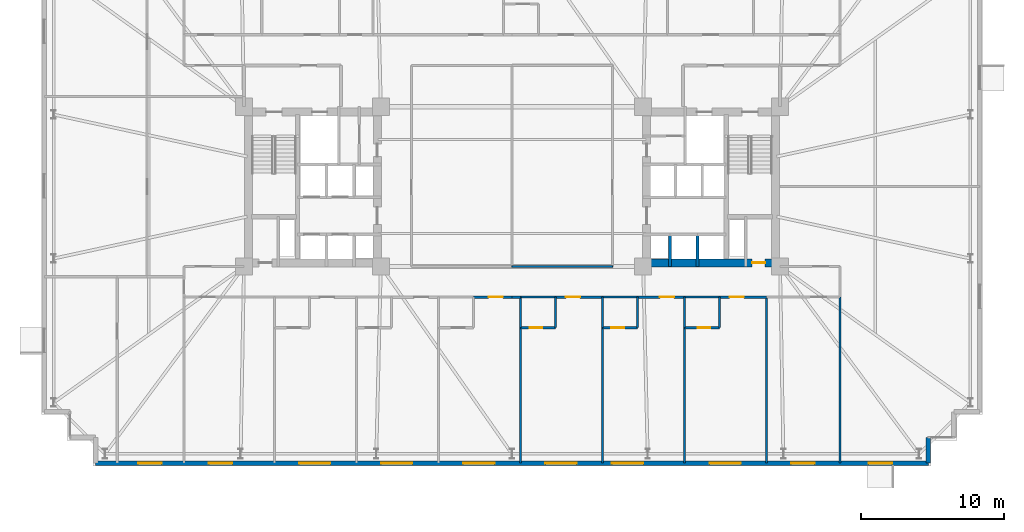
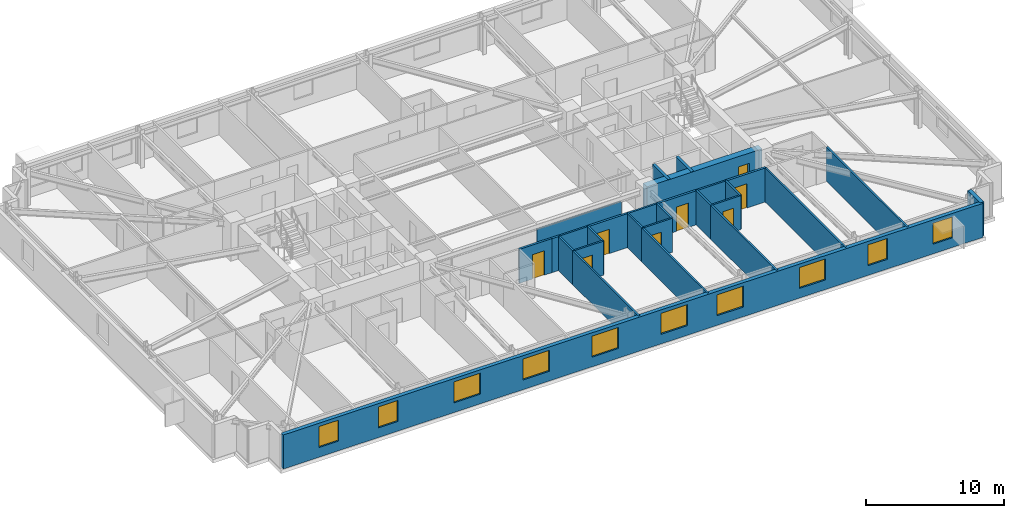
# One storey, part 16 of 20: 28 walls, 10 windows, 8 doors, 18 openings.
"""IFC4 building model written with IfcOpenShell, lengths in metres."""

from ifc_helpers import new_model, si_unit, direction, frame, frame_2d, origin, place, context, subcontext, project, spatial, rectangle, extrude, material, layer, layer_set, type_object, element, fill, save


model = new_model("IFC4")

# Units and contexts
model_context = context("Model", 3, precision=1e-05, world=origin(), true_north=direction((0.0, 1.0)))
body_context = subcontext(model_context, "Body", "Model", "MODEL_VIEW")
ifc_project = project(units=[si_unit("LENGTHUNIT", "METRE"), si_unit("AREAUNIT", "SQUARE_METRE"), si_unit("VOLUMEUNIT", "CUBIC_METRE"), si_unit("PLANEANGLEUNIT", "RADIAN"), si_unit("MASSUNIT", "GRAM", prefix="KILO")], contexts=[model_context])

# Site, building, storey
site_placement = place(None, origin())
site = spatial("IfcSite", under=ifc_project, at=site_placement, CompositionType="ELEMENT")
building_placement = place(site_placement, origin())
building = spatial("IfcBuilding", under=site, at=building_placement, Name="Qobustan Lattice House", CompositionType="ELEMENT")
storey_placement = place(building_placement, frame((0.0, 0.0, 70.550048828125)))
storey = spatial("IfcBuildingStorey", under=building, at=storey_placement, Name="L19", CompositionType="ELEMENT", Elevation=70.550048828125)

# Wall, opening, door
ifc_material_1 = material(Name="Concrete C60/75", Category="concrete")
ifc_layer_1 = layer(ifc_material_1, 0.56005859375)
ifc_layer_set_1 = layer_set([ifc_layer_1], Name="Concrete C60/75")
wall_type_1 = type_object("IfcWallType", Name="WAL-CORE-600", PredefinedType="SHEAR", material=ifc_layer_set_1)
wall_1_placement = place(storey_placement, frame((9.199951171875, -5.35009765625, 0.0), z_axis=(0.0, 0.0, 1.0), x_axis=(1.0, 0.0, 0.0)))
wall_1 = element("IfcWall", 1, at=wall_1_placement, inside=storey, type_object=wall_type_1, Name="L19 split-core shear wall CE-S", PredefinedType="SHEAR", context=body_context, shape_type="SweptSolid", body=[
    extrude(rectangle(XDim=9.60009765625, YDim=0.56005859375, at=frame_2d((4.800048828125, 0.0))), origin(), (0.0, 0.0, 1.0), 3.0),
])
opening_1_placement = place(wall_1_placement, frame((7.64990234375, 0.0, 0.0)))
opening_1 = element("IfcOpeningElement", 2, at=opening_1_placement, cuts=wall_1, Name="Opening RD-01", PredefinedType="OPENING", context=body_context, shape_type="SweptSolid", body=[
    extrude(rectangle(XDim=0.89990234375, YDim=2.10009765625, at=frame_2d((0.449951171875, 1.050048828125))), frame((0.0, 0.2900390625, 0.0), z_axis=(0.0, -1.0, 0.0), x_axis=(1.0, 0.0, 0.0)), (0.0, 0.0, 1.0), 0.580078125),
])
ifc_material_2 = material(Name="Persian walnut timber and steel frame door", Category="steel")
door_type_1 = type_object("IfcDoorType", Name="DOR-RISER-FD-900x2100", OperationType="NOTDEFINED", PredefinedType="DOOR", material=ifc_material_2)
door_1_placement = place(opening_1_placement, origin())
door_1 = element("IfcDoor", 3, at=door_1_placement, inside=storey, type_object=door_type_1, Name="L19 core service riser access door E", OperationType="SINGLE_SWING_RIGHT", OverallHeight=2.10009765625, OverallWidth=0.89990234375, PredefinedType="DOOR", context=body_context, shape_type="SweptSolid", body=[
    extrude(rectangle(XDim=0.89990234375, YDim=2.10009765625, at=frame_2d((0.449951171875, 1.050048828125))), frame((0.0, 0.02490234375, 0.0), z_axis=(0.0, -1.0, 0.0), x_axis=(1.0, 0.0, 0.0)), (0.0, 0.0, 1.0), 0.050048828125),
])
fill(opening_1, door_1)

# Wall
ifc_material_3 = material(Name="Precast concrete C40/50", Category="concrete")
ifc_layer_2 = layer(ifc_material_3, 0.320068359375)
ifc_layer_set_2 = layer_set([ifc_layer_2], Name="Precast concrete C40/50")
wall_type_2 = type_object("IfcWallType", Name="WAL-EXT-STONE-320", PredefinedType="SOLIDWALL", material=ifc_layer_set_2)
wall_2_placement = place(storey_placement, frame((29.199951171875, -17.60009765625, 0.0), z_axis=(0.0, 0.0, 1.0), x_axis=(0.0, -1.0, 0.0)))
element("IfcWall", 4, at=wall_2_placement, inside=storey, type_object=wall_type_2, Name="L19 exterior limestone-clad wall 19", PredefinedType="SOLIDWALL", context=body_context, shape_type="SweptSolid", body=[
    extrude(rectangle(XDim=1.7998046875, YDim=0.320068359375, at=frame_2d((0.89990234375, 0.0))), origin(), (0.0, 0.0, 1.0), 3.0),
])

# Wall, openings, windows
wall_3_placement = place(storey_placement, frame((29.199951171875, -19.39990234375, 0.0), z_axis=(0.0, 0.0, 1.0), x_axis=(-1.0, 0.0, 0.0)))
wall_3 = element("IfcWall", 5, at=wall_3_placement, inside=storey, type_object=wall_type_2, Name="L19 exterior limestone-clad wall 20", PredefinedType="SOLIDWALL", context=body_context, shape_type="SweptSolid", body=[
    extrude(rectangle(XDim=58.39990234375, YDim=0.320068359375, at=frame_2d((29.199951171875, 0.0))), origin(), (0.0, 0.0, 1.0), 3.0),
])
opening_2_placement = place(wall_3_placement, frame((2.534912109375, 0.0, 0.85009765625)))
opening_2 = element("IfcOpeningElement", 6, at=opening_2_placement, cuts=wall_3, Name="Opening WN-09", PredefinedType="OPENING", context=body_context, shape_type="SweptSolid", body=[
    extrude(rectangle(XDim=1.64990234375, YDim=1.85009765625, at=frame_2d((0.824951171875, 0.925048828125))), frame((0.0, 0.169921875, 0.0), z_axis=(0.0, -1.0, 0.0), x_axis=(1.0, 0.0, 0.0)), (0.0, 0.0, 1.0), 0.340087890625),
])
opening_3_placement = place(wall_3_placement, frame((7.97509765625, 0.0, 0.85009765625)))
opening_3 = element("IfcOpeningElement", 7, at=opening_3_placement, cuts=wall_3, Name="Opening WN-09", PredefinedType="OPENING", context=body_context, shape_type="SweptSolid", body=[
    extrude(rectangle(XDim=1.64990234375, YDim=1.85009765625, at=frame_2d((0.824951171875, 0.925048828125))), frame((0.0, 0.169921875, 0.0), z_axis=(0.0, -1.0, 0.0), x_axis=(1.0, 0.0, 0.0)), (0.0, 0.0, 1.0), 0.340087890625),
])
opening_4_placement = place(wall_3_placement, frame((13.139892578125, 0.0, 0.85009765625)))
opening_4 = element("IfcOpeningElement", 8, at=opening_4_placement, cuts=wall_3, Name="Opening WN-03", PredefinedType="OPENING", context=body_context, shape_type="SweptSolid", body=[
    extrude(rectangle(XDim=2.199951171875, YDim=1.85009765625, at=frame_2d((1.10009765625, 0.925048828125))), frame((0.0, 0.169921875, 0.0), z_axis=(0.0, -1.0, 0.0), x_axis=(1.0, 0.0, 0.0)), (0.0, 0.0, 1.0), 0.340087890625),
])
opening_5_placement = place(wall_3_placement, frame((19.991943359375, 0.0, 0.85009765625)))
opening_5 = element("IfcOpeningElement", 9, at=opening_5_placement, cuts=wall_3, Name="Opening WN-03", PredefinedType="OPENING", context=body_context, shape_type="SweptSolid", body=[
    extrude(rectangle(XDim=2.199951171875, YDim=1.85009765625, at=frame_2d((1.10009765625, 0.925048828125))), frame((0.0, 0.169921875, 0.0), z_axis=(0.0, -1.0, 0.0), x_axis=(1.0, 0.0, 0.0)), (0.0, 0.0, 1.0), 0.340087890625),
])
opening_6_placement = place(wall_3_placement, frame((24.659912109375, 0.0, 0.85009765625)))
opening_6 = element("IfcOpeningElement", 10, at=opening_6_placement, cuts=wall_3, Name="Opening WN-03", PredefinedType="OPENING", context=body_context, shape_type="SweptSolid", body=[
    extrude(rectangle(XDim=2.199951171875, YDim=1.85009765625, at=frame_2d((1.10009765625, 0.925048828125))), frame((0.0, 0.169921875, 0.0), z_axis=(0.0, -1.0, 0.0), x_axis=(1.0, 0.0, 0.0)), (0.0, 0.0, 1.0), 0.340087890625),
])
opening_7_placement = place(wall_3_placement, frame((30.419921875, 0.0, 0.85009765625)))
opening_7 = element("IfcOpeningElement", 11, at=opening_7_placement, cuts=wall_3, Name="Opening WN-03", PredefinedType="OPENING", context=body_context, shape_type="SweptSolid", body=[
    extrude(rectangle(XDim=2.199951171875, YDim=1.85009765625, at=frame_2d((1.10009765625, 0.925048828125))), frame((0.0, 0.169921875, 0.0), z_axis=(0.0, -1.0, 0.0), x_axis=(1.0, 0.0, 0.0)), (0.0, 0.0, 1.0), 0.340087890625),
])
opening_8_placement = place(wall_3_placement, frame((36.179931640625, 0.0, 0.85009765625)))
opening_8 = element("IfcOpeningElement", 12, at=opening_8_placement, cuts=wall_3, Name="Opening WN-03", PredefinedType="OPENING", context=body_context, shape_type="SweptSolid", body=[
    extrude(rectangle(XDim=2.199951171875, YDim=1.85009765625, at=frame_2d((1.10009765625, 0.925048828125))), frame((0.0, 0.169921875, 0.0), z_axis=(0.0, -1.0, 0.0), x_axis=(1.0, 0.0, 0.0)), (0.0, 0.0, 1.0), 0.340087890625),
])
opening_9_placement = place(wall_3_placement, frame((41.93994140625, 0.0, 0.85009765625)))
opening_9 = element("IfcOpeningElement", 13, at=opening_9_placement, cuts=wall_3, Name="Opening WN-03", PredefinedType="OPENING", context=body_context, shape_type="SweptSolid", body=[
    extrude(rectangle(XDim=2.199951171875, YDim=1.85009765625, at=frame_2d((1.10009765625, 0.925048828125))), frame((0.0, 0.169921875, 0.0), z_axis=(0.0, -1.0, 0.0), x_axis=(1.0, 0.0, 0.0)), (0.0, 0.0, 1.0), 0.340087890625),
])
opening_10_placement = place(wall_3_placement, frame((48.820556640625, 0.0, 0.85009765625)))
opening_10 = element("IfcOpeningElement", 14, at=opening_10_placement, cuts=wall_3, Name="Opening WN-09", PredefinedType="OPENING", context=body_context, shape_type="SweptSolid", body=[
    extrude(rectangle(XDim=1.64990234375, YDim=1.85009765625, at=frame_2d((0.824951171875, 0.925048828125))), frame((0.0, 0.169921875, 0.0), z_axis=(0.0, -1.0, 0.0), x_axis=(1.0, 0.0, 0.0)), (0.0, 0.0, 1.0), 0.340087890625),
])
opening_11_placement = place(wall_3_placement, frame((53.77490234375, 0.0, 0.85009765625)))
opening_11 = element("IfcOpeningElement", 15, at=opening_11_placement, cuts=wall_3, Name="Opening WN-09", PredefinedType="OPENING", context=body_context, shape_type="SweptSolid", body=[
    extrude(rectangle(XDim=1.64990234375, YDim=1.85009765625, at=frame_2d((0.824951171875, 0.925048828125))), frame((0.0, 0.169921875, 0.0), z_axis=(0.0, -1.0, 0.0), x_axis=(1.0, 0.0, 0.0)), (0.0, 0.0, 1.0), 0.340087890625),
])
ifc_material_4 = material(Name="Double-glazed low-E aluminium window", Category="aluminium")
window_type_1 = type_object("IfcWindowType", Name="WIN-STU-1650x1850", PartitioningType="SINGLE_PANEL", PredefinedType="WINDOW", material=ifc_material_4)
window_1_placement = place(opening_2_placement, origin())
window_1 = element("IfcWindow", 16, at=window_1_placement, inside=storey, type_object=window_type_1, Name="L19 Academic seminar room window", OverallHeight=1.85009765625, OverallWidth=1.64990234375, PartitioningType="SINGLE_PANEL", PredefinedType="WINDOW", context=body_context, shape_type="SweptSolid", body=[
    extrude(rectangle(XDim=1.64990234375, YDim=1.85009765625, at=frame_2d((0.824951171875, 0.925048828125))), frame((0.0, 0.030029296875, 0.0), z_axis=(0.0, -1.0, 0.0), x_axis=(1.0, 0.0, 0.0)), (0.0, 0.0, 1.0), 0.06005859375),
])
fill(opening_2, window_1)
window_2_placement = place(opening_3_placement, origin())
window_2 = element("IfcWindow", 17, at=window_2_placement, inside=storey, type_object=window_type_1, Name="L19 Group study room window", OverallHeight=1.85009765625, OverallWidth=1.64990234375, PartitioningType="SINGLE_PANEL", PredefinedType="WINDOW", context=body_context, shape_type="SweptSolid", body=[
    extrude(rectangle(XDim=1.64990234375, YDim=1.85009765625, at=frame_2d((0.824951171875, 0.925048828125))), frame((0.0, 0.030029296875, 0.0), z_axis=(0.0, -1.0, 0.0), x_axis=(1.0, 0.0, 0.0)), (0.0, 0.0, 1.0), 0.06005859375),
])
fill(opening_3, window_2)
window_3_placement = place(opening_10_placement, origin())
window_3 = element("IfcWindow", 18, at=window_3_placement, inside=storey, type_object=window_type_1, Name="L19 Focus study room S1 window", OverallHeight=1.85009765625, OverallWidth=1.64990234375, PartitioningType="SINGLE_PANEL", PredefinedType="WINDOW", context=body_context, shape_type="SweptSolid", body=[
    extrude(rectangle(XDim=1.64990234375, YDim=1.85009765625, at=frame_2d((0.824951171875, 0.925048828125))), frame((0.0, 0.030029296875, 0.0), z_axis=(0.0, -1.0, 0.0), x_axis=(1.0, 0.0, 0.0)), (0.0, 0.0, 1.0), 0.06005859375),
])
fill(opening_10, window_3)
window_4_placement = place(opening_11_placement, origin())
window_4 = element("IfcWindow", 19, at=window_4_placement, inside=storey, type_object=window_type_1, Name="L19 Focus study room W1B window", OverallHeight=1.85009765625, OverallWidth=1.64990234375, PartitioningType="SINGLE_PANEL", PredefinedType="WINDOW", context=body_context, shape_type="SweptSolid", body=[
    extrude(rectangle(XDim=1.64990234375, YDim=1.85009765625, at=frame_2d((0.824951171875, 0.925048828125))), frame((0.0, 0.030029296875, 0.0), z_axis=(0.0, -1.0, 0.0), x_axis=(1.0, 0.0, 0.0)), (0.0, 0.0, 1.0), 0.06005859375),
])
fill(opening_11, window_4)
ifc_material_5 = material(Name="Double-glazed low-E aluminium window", Category="aluminium")
window_type_2 = type_object("IfcWindowType", Name="WIN-WIDE-2200x1850", PartitioningType="SINGLE_PANEL", PredefinedType="WINDOW", material=ifc_material_5)
window_5_placement = place(opening_4_placement, origin())
window_5 = element("IfcWindow", 20, at=window_5_placement, inside=storey, type_object=window_type_2, Name="L19 Kitchenette and studio apartment L19-S7 window", OverallHeight=1.85009765625, OverallWidth=2.199951171875, PartitioningType="SINGLE_PANEL", PredefinedType="WINDOW", context=body_context, shape_type="SweptSolid", body=[
    extrude(rectangle(XDim=2.199951171875, YDim=1.85009765625, at=frame_2d((1.10009765625, 0.925048828125))), frame((0.0, 0.030029296875, 0.0), z_axis=(0.0, -1.0, 0.0), x_axis=(1.0, 0.0, 0.0)), (0.0, 0.0, 1.0), 0.06005859375),
])
fill(opening_4, window_5)
window_6_placement = place(opening_5_placement, origin())
window_6 = element("IfcWindow", 21, at=window_6_placement, inside=storey, type_object=window_type_2, Name="L19 Kitchenette and studio apartment L19-S6 window", OverallHeight=1.85009765625, OverallWidth=2.199951171875, PartitioningType="SINGLE_PANEL", PredefinedType="WINDOW", context=body_context, shape_type="SweptSolid", body=[
    extrude(rectangle(XDim=2.199951171875, YDim=1.85009765625, at=frame_2d((1.10009765625, 0.925048828125))), frame((0.0, 0.030029296875, 0.0), z_axis=(0.0, -1.0, 0.0), x_axis=(1.0, 0.0, 0.0)), (0.0, 0.0, 1.0), 0.06005859375),
])
fill(opening_5, window_6)
window_7_placement = place(opening_6_placement, origin())
window_7 = element("IfcWindow", 22, at=window_7_placement, inside=storey, type_object=window_type_2, Name="L19 Kitchenette and studio apartment L19-S5 window", OverallHeight=1.85009765625, OverallWidth=2.199951171875, PartitioningType="SINGLE_PANEL", PredefinedType="WINDOW", context=body_context, shape_type="SweptSolid", body=[
    extrude(rectangle(XDim=2.199951171875, YDim=1.85009765625, at=frame_2d((1.10009765625, 0.925048828125))), frame((0.0, 0.030029296875, 0.0), z_axis=(0.0, -1.0, 0.0), x_axis=(1.0, 0.0, 0.0)), (0.0, 0.0, 1.0), 0.06005859375),
])
fill(opening_6, window_7)
window_8_placement = place(opening_7_placement, origin())
window_8 = element("IfcWindow", 23, at=window_8_placement, inside=storey, type_object=window_type_2, Name="L19 Kitchenette and studio apartment L19-S4 window", OverallHeight=1.85009765625, OverallWidth=2.199951171875, PartitioningType="SINGLE_PANEL", PredefinedType="WINDOW", context=body_context, shape_type="SweptSolid", body=[
    extrude(rectangle(XDim=2.199951171875, YDim=1.85009765625, at=frame_2d((1.10009765625, 0.925048828125))), frame((0.0, 0.030029296875, 0.0), z_axis=(0.0, -1.0, 0.0), x_axis=(1.0, 0.0, 0.0)), (0.0, 0.0, 1.0), 0.06005859375),
])
fill(opening_7, window_8)
window_9_placement = place(opening_8_placement, origin())
window_9 = element("IfcWindow", 24, at=window_9_placement, inside=storey, type_object=window_type_2, Name="L19 Kitchenette and studio apartment L19-S3 window", OverallHeight=1.85009765625, OverallWidth=2.199951171875, PartitioningType="SINGLE_PANEL", PredefinedType="WINDOW", context=body_context, shape_type="SweptSolid", body=[
    extrude(rectangle(XDim=2.199951171875, YDim=1.85009765625, at=frame_2d((1.10009765625, 0.925048828125))), frame((0.0, 0.030029296875, 0.0), z_axis=(0.0, -1.0, 0.0), x_axis=(1.0, 0.0, 0.0)), (0.0, 0.0, 1.0), 0.06005859375),
])
fill(opening_8, window_9)
window_10_placement = place(opening_9_placement, origin())
window_10 = element("IfcWindow", 25, at=window_10_placement, inside=storey, type_object=window_type_2, Name="L19 Kitchenette and studio apartment L19-S2 window", OverallHeight=1.85009765625, OverallWidth=2.199951171875, PartitioningType="SINGLE_PANEL", PredefinedType="WINDOW", context=body_context, shape_type="SweptSolid", body=[
    extrude(rectangle(XDim=2.199951171875, YDim=1.85009765625, at=frame_2d((1.10009765625, 0.925048828125))), frame((0.0, 0.030029296875, 0.0), z_axis=(0.0, -1.0, 0.0), x_axis=(1.0, 0.0, 0.0)), (0.0, 0.0, 1.0), 0.06005859375),
])
fill(opening_9, window_10)

# Wall, opening, door
ifc_material_6 = material(Name="Gypsum fireboard acoustic partition", Category="gypsum")
ifc_layer_3 = layer(ifc_material_6, 0.179931640625)
ifc_layer_set_3 = layer_set([ifc_layer_3], Name="Gypsum fireboard acoustic partition")
wall_type_3 = type_object("IfcWallType", Name="WAL-FIRE-180", PredefinedType="PARTITIONING", material=ifc_layer_set_3)
wall_4_placement = place(storey_placement, frame((0.0, -7.75, 0.0), z_axis=(0.0, 0.0, 1.0), x_axis=(-1.0, 0.0, 0.0)))
wall_4 = element("IfcWall", 26, at=wall_4_placement, inside=storey, type_object=wall_type_3, Name="L19 interior partition 62", PredefinedType="PARTITIONING", context=body_context, shape_type="SweptSolid", body=[
    extrude(rectangle(XDim=2.699951171875, YDim=0.179931640625, at=frame_2d((1.35009765625, 0.0))), origin(), (0.0, 0.0, 1.0), 3.0),
])
opening_12_placement = place(wall_4_placement, frame((0.6474609375, 0.0, 0.0)))
opening_12 = element("IfcOpeningElement", 27, at=opening_12_placement, cuts=wall_4, Name="Opening FD-02", PredefinedType="OPENING", context=body_context, shape_type="SweptSolid", body=[
    extrude(rectangle(XDim=1.0, YDim=2.14990234375, at=frame_2d((0.5, 1.074951171875))), frame((0.0, 0.099853515625, 0.0), z_axis=(0.0, -1.0, 0.0), x_axis=(1.0, 0.0, 0.0)), (0.0, 0.0, 1.0), 0.199951171875),
])
ifc_material_7 = material(Name="Persian walnut timber and steel frame door", Category="steel")
door_type_2 = type_object("IfcDoorType", Name="DOR-UNIT-FD-1000x2150", OperationType="NOTDEFINED", PredefinedType="DOOR", material=ifc_material_7)
door_2_placement = place(opening_12_placement, origin())
door_2 = element("IfcDoor", 28, at=door_2_placement, inside=storey, type_object=door_type_2, Name="L19 South-west floor corridor to Kitchenette and studio apartment L19-S4 door", OperationType="SINGLE_SWING_LEFT", OverallHeight=2.14990234375, OverallWidth=1.0, PredefinedType="DOOR", context=body_context, shape_type="SweptSolid", body=[
    extrude(rectangle(XDim=1.0, YDim=2.14990234375, at=frame_2d((0.5, 1.074951171875))), frame((0.0, 0.02490234375, 0.0), z_axis=(0.0, -1.0, 0.0), x_axis=(1.0, 0.0, 0.0)), (0.0, 0.0, 1.0), 0.050048828125),
])
fill(opening_12, door_2)

# Wall
wall_5_placement = place(storey_placement, frame((0.60009765625, -7.75, 0.0), z_axis=(0.0, 0.0, 1.0), x_axis=(-1.0, 0.0, 0.0)))
element("IfcWall", 29, at=wall_5_placement, inside=storey, type_object=wall_type_3, Name="L19 interior partition 67", PredefinedType="PARTITIONING", context=body_context, shape_type="SweptSolid", body=[
    extrude(rectangle(XDim=0.60009765625, YDim=0.179931640625, at=frame_2d((0.300048828125, 0.0))), origin(), (0.0, 0.0, 1.0), 3.0),
])

# Wall, opening, door
wall_6_placement = place(storey_placement, frame((6.35009765625, -7.75, 0.0), z_axis=(0.0, 0.0, 1.0), x_axis=(-1.0, 0.0, 0.0)))
wall_6 = element("IfcWall", 30, at=wall_6_placement, inside=storey, type_object=wall_type_3, Name="L19 interior partition 68", PredefinedType="PARTITIONING", context=body_context, shape_type="SweptSolid", body=[
    extrude(rectangle(XDim=3.300048828125, YDim=0.179931640625, at=frame_2d((1.64990234375, 0.0))), origin(), (0.0, 0.0, 1.0), 3.0),
])
opening_13_placement = place(wall_6_placement, frame((1.577392578125, 0.0, 0.0)))
opening_13 = element("IfcOpeningElement", 31, at=opening_13_placement, cuts=wall_6, Name="Opening FD-02", PredefinedType="OPENING", context=body_context, shape_type="SweptSolid", body=[
    extrude(rectangle(XDim=1.0, YDim=2.14990234375, at=frame_2d((0.5, 1.074951171875))), frame((0.0, 0.099853515625, 0.0), z_axis=(0.0, -1.0, 0.0), x_axis=(1.0, 0.0, 0.0)), (0.0, 0.0, 1.0), 0.199951171875),
])
door_3_placement = place(opening_13_placement, origin())
door_3 = element("IfcDoor", 32, at=door_3_placement, inside=storey, type_object=door_type_2, Name="L19 South-east floor corridor to Kitchenette and studio apartment L19-S5 door", OperationType="SINGLE_SWING_LEFT", OverallHeight=2.14990234375, OverallWidth=1.0, PredefinedType="DOOR", context=body_context, shape_type="SweptSolid", body=[
    extrude(rectangle(XDim=1.0, YDim=2.14990234375, at=frame_2d((0.5, 1.074951171875))), frame((0.0, 0.02490234375, 0.0), z_axis=(0.0, -1.0, 0.0), x_axis=(1.0, 0.0, 0.0)), (0.0, 0.0, 1.0), 0.050048828125),
])
fill(opening_13, door_3)

wall_7_placement = place(storey_placement, frame((12.10009765625, -7.75, 0.0), z_axis=(0.0, 0.0, 1.0), x_axis=(-1.0, 0.0, 0.0)))
wall_7 = element("IfcWall", 33, at=wall_7_placement, inside=storey, type_object=wall_type_3, Name="L19 interior partition 70", PredefinedType="PARTITIONING", context=body_context, shape_type="SweptSolid", body=[
    extrude(rectangle(XDim=3.300048828125, YDim=0.179931640625, at=frame_2d((1.64990234375, 0.0))), origin(), (0.0, 0.0, 1.0), 3.0),
])
opening_14_placement = place(wall_7_placement, frame((0.722412109375, 0.0, 0.0)))
opening_14 = element("IfcOpeningElement", 34, at=opening_14_placement, cuts=wall_7, Name="Opening FD-02", PredefinedType="OPENING", context=body_context, shape_type="SweptSolid", body=[
    extrude(rectangle(XDim=1.0, YDim=2.14990234375, at=frame_2d((0.5, 1.074951171875))), frame((0.0, 0.099853515625, 0.0), z_axis=(0.0, -1.0, 0.0), x_axis=(1.0, 0.0, 0.0)), (0.0, 0.0, 1.0), 0.199951171875),
])
door_4_placement = place(opening_14_placement, origin())
door_4 = element("IfcDoor", 35, at=door_4_placement, inside=storey, type_object=door_type_2, Name="L19 South-east floor corridor to Kitchenette and studio apartment L19-S6 door", OperationType="SINGLE_SWING_RIGHT", OverallHeight=2.14990234375, OverallWidth=1.0, PredefinedType="DOOR", context=body_context, shape_type="SweptSolid", body=[
    extrude(rectangle(XDim=1.0, YDim=2.14990234375, at=frame_2d((0.5, 1.074951171875))), frame((0.0, 0.02490234375, 0.0), z_axis=(0.0, -1.0, 0.0), x_axis=(1.0, 0.0, 0.0)), (0.0, 0.0, 1.0), 0.050048828125),
])
fill(opening_14, door_4)

wall_8_placement = place(storey_placement, frame((17.85009765625, -7.75, 0.0), z_axis=(0.0, 0.0, 1.0), x_axis=(-1.0, 0.0, 0.0)))
wall_8 = element("IfcWall", 36, at=wall_8_placement, inside=storey, type_object=wall_type_3, Name="L19 interior partition 72", PredefinedType="PARTITIONING", context=body_context, shape_type="SweptSolid", body=[
    extrude(rectangle(XDim=3.300048828125, YDim=0.179931640625, at=frame_2d((1.64990234375, 0.0))), origin(), (0.0, 0.0, 1.0), 3.0),
])
opening_15_placement = place(wall_8_placement, frame((1.577392578125, 0.0, 0.0)))
opening_15 = element("IfcOpeningElement", 37, at=opening_15_placement, cuts=wall_8, Name="Opening FD-02", PredefinedType="OPENING", context=body_context, shape_type="SweptSolid", body=[
    extrude(rectangle(XDim=1.0, YDim=2.14990234375, at=frame_2d((0.5, 1.074951171875))), frame((0.0, 0.099853515625, 0.0), z_axis=(0.0, -1.0, 0.0), x_axis=(1.0, 0.0, 0.0)), (0.0, 0.0, 1.0), 0.199951171875),
])
door_5_placement = place(opening_15_placement, origin())
door_5 = element("IfcDoor", 38, at=door_5_placement, inside=storey, type_object=door_type_2, Name="L19 South-east floor corridor to Kitchenette and studio apartment L19-S7 door", OperationType="SINGLE_SWING_LEFT", OverallHeight=2.14990234375, OverallWidth=1.0, PredefinedType="DOOR", context=body_context, shape_type="SweptSolid", body=[
    extrude(rectangle(XDim=1.0, YDim=2.14990234375, at=frame_2d((0.5, 1.074951171875))), frame((0.0, 0.02490234375, 0.0), z_axis=(0.0, -1.0, 0.0), x_axis=(1.0, 0.0, 0.0)), (0.0, 0.0, 1.0), 0.050048828125),
])
fill(opening_15, door_5)

# Walls
ifc_material_8 = material(Name="Lightweight acoustic stud partition", Category="gypsum")
ifc_layer_4 = layer(ifc_material_8, 0.125)
ifc_layer_set_4 = layer_set([ifc_layer_4], Name="Lightweight acoustic stud partition")
wall_type_4 = type_object("IfcWallType", Name="WAL-PART-125", PredefinedType="PARTITIONING", material=ifc_layer_set_4)
wall_9_placement = place(storey_placement, frame((0.0, -5.60009765625, 0.0), z_axis=(0.0, 0.0, 1.0), x_axis=(1.0, 0.0, 0.0)))
element("IfcWall", 39, at=wall_9_placement, inside=storey, type_object=wall_type_4, Name="L19 interior partition 75", PredefinedType="PARTITIONING", context=body_context, shape_type="SweptSolid", body=[
    extrude(rectangle(XDim=7.050048828125, YDim=0.125, at=frame_2d((3.52490234375, 0.0))), origin(), (0.0, 0.0, 1.0), 2.48486328125),
])
ifc_material_9 = material(Name="Acoustic twin-stud gypsum partition", Category="gypsum")
ifc_layer_5 = layer(ifc_material_9, 0.14990234375)
ifc_layer_set_5 = layer_set([ifc_layer_5], Name="Acoustic twin-stud gypsum partition")
wall_type_5 = type_object("IfcWallType", Name="WAL-PART-150", PredefinedType="PARTITIONING", material=ifc_layer_set_5)
wall_10_placement = place(storey_placement, frame((23.0, -19.39990234375, 0.0), z_axis=(0.0, 0.0, 1.0), x_axis=(0.0, 1.0, 0.0)))
element("IfcWall", 40, at=wall_10_placement, inside=storey, type_object=wall_type_5, Name="L19 interior partition 89", PredefinedType="PARTITIONING", context=body_context, shape_type="SweptSolid", body=[
    extrude(rectangle(XDim=11.64990234375, YDim=0.14990234375, at=frame_2d((5.824951171875, 0.0))), origin(), (0.0, 0.0, 1.0), 3.0),
])
for number, where, z_axis, x_axis, name in (
    (41, (0.60009765625, -9.89990234375, 0.0), (0.0, 0.0, 1.0), (0.0, -1.0, 0.0), "L19 interior partition 112"),
    (42, (6.35009765625, -9.89990234375, 0.0), (0.0, 0.0, 1.0), (0.0, -1.0, 0.0), "L19 interior partition 116"),
    (43, (12.10009765625, -9.89990234375, 0.0), (0.0, 0.0, 1.0), (0.0, -1.0, 0.0), "L19 interior partition 120"),
):
    element("IfcWall", number, at=place(storey_placement, frame(where, z_axis=z_axis, x_axis=x_axis)), inside=storey, type_object=wall_type_5, Name=name, PredefinedType="PARTITIONING", context=body_context, shape_type="SweptSolid", body=[
        extrude(rectangle(XDim=9.5, YDim=0.14990234375, at=frame_2d((4.75, 0.0))), origin(), (0.0, 0.0, 1.0), 3.0),
    ])
wall_11_placement = place(storey_placement, frame((17.85009765625, -7.75, 0.0), z_axis=(0.0, 0.0, 1.0), x_axis=(0.0, -1.0, 0.0)))
element("IfcWall", 44, at=wall_11_placement, inside=storey, type_object=wall_type_5, Name="L19 interior partition 124", PredefinedType="PARTITIONING", context=body_context, shape_type="SweptSolid", body=[
    extrude(rectangle(XDim=11.64990234375, YDim=0.14990234375, at=frame_2d((5.824951171875, 0.0))), origin(), (0.0, 0.0, 1.0), 3.0),
])
ifc_material_10 = material(Name="Concrete C40/50", Category="concrete")
ifc_layer_6 = layer(ifc_material_10, 0.199951171875)
ifc_layer_set_6 = layer_set([ifc_layer_6], Name="Concrete C40/50")
wall_type_6 = type_object("IfcWallType", Name="WAL-SHAFT-200", PredefinedType="PARTITIONING", material=ifc_layer_set_6)
for number, where, z_axis, x_axis, name in (
    (45, (11.080078125, -5.60009765625, 0.0), (0.0, 0.0, 1.0), (0.0, 1.0, 0.0), "L19 interior partition 35"),
    (46, (13.02001953125, -5.60009765625, 0.0), (0.0, 0.0, 1.0), (0.0, 1.0, 0.0), "L19 interior partition 36"),
):
    element("IfcWall", number, at=place(storey_placement, frame(where, z_axis=z_axis, x_axis=x_axis)), inside=storey, type_object=wall_type_6, Name=name, PredefinedType="PARTITIONING", context=body_context, shape_type="SweptSolid", body=[
        extrude(rectangle(XDim=2.25, YDim=0.199951171875, at=frame_2d((1.125, 0.0))), origin(), (0.0, 0.0, 1.0), 3.0),
    ])
ifc_material_11 = material(Name="Moisture-resistant acoustic plumbing wall", Category="gypsum")
ifc_layer_7 = layer(ifc_material_11, 0.14990234375)
ifc_layer_set_7 = layer_set([ifc_layer_7], Name="Moisture-resistant acoustic plumbing wall")
wall_type_7 = type_object("IfcWallType", Name="WAL-WET-150", PredefinedType="PLUMBINGWALL", material=ifc_layer_set_7)
for number, where, z_axis, x_axis, name in (
    (47, (3.050048828125, -7.75, 0.0), (0.0, 0.0, 1.0), (-1.0, 0.0, 0.0), "L19 interior partition 69"),
    (48, (8.800048828125, -7.75, 0.0), (0.0, 0.0, 1.0), (-1.0, 0.0, 0.0), "L19 interior partition 71"),
    (49, (14.550048828125, -7.75, 0.0), (0.0, 0.0, 1.0), (-1.0, 0.0, 0.0), "L19 interior partition 73"),
):
    element("IfcWall", number, at=place(storey_placement, frame(where, z_axis=z_axis, x_axis=x_axis)), inside=storey, type_object=wall_type_7, Name=name, PredefinedType="PLUMBINGWALL", context=body_context, shape_type="SweptSolid", body=[
        extrude(rectangle(XDim=2.449951171875, YDim=0.14990234375, at=frame_2d((1.22509765625, 0.0))), origin(), (0.0, 0.0, 1.0), 3.0),
    ])
wall_12_placement = place(storey_placement, frame((0.60009765625, -7.75, 0.0), z_axis=(0.0, 0.0, 1.0), x_axis=(0.0, -1.0, 0.0)))
element("IfcWall", 50, at=wall_12_placement, inside=storey, type_object=wall_type_7, Name="L19 interior partition 113", PredefinedType="PLUMBINGWALL", context=body_context, shape_type="SweptSolid", body=[
    extrude(rectangle(XDim=2.14990234375, YDim=0.14990234375, at=frame_2d((1.074951171875, 0.0))), origin(), (0.0, 0.0, 1.0), 3.0),
])

# Wall, opening, door
wall_13_placement = place(storey_placement, frame((0.60009765625, -9.89990234375, 0.0), z_axis=(0.0, 0.0, 1.0), x_axis=(1.0, 0.0, 0.0)))
wall_13 = element("IfcWall", 51, at=wall_13_placement, inside=storey, type_object=wall_type_7, Name="L19 interior partition 114", PredefinedType="PLUMBINGWALL", context=body_context, shape_type="SweptSolid", body=[
    extrude(rectangle(XDim=2.449951171875, YDim=0.14990234375, at=frame_2d((1.22509765625, 0.0))), origin(), (0.0, 0.0, 1.0), 3.0),
])
opening_16_placement = place(wall_13_placement, frame((0.628662109375, 0.0, 0.0)))
opening_16 = element("IfcOpeningElement", 52, at=opening_16_placement, cuts=wall_13, Name="Opening WD-01", PredefinedType="OPENING", context=body_context, shape_type="SweptSolid", body=[
    extrude(rectangle(XDim=0.89990234375, YDim=2.10009765625, at=frame_2d((0.449951171875, 1.050048828125))), frame((0.0, 0.0849609375, 0.0), z_axis=(0.0, -1.0, 0.0), x_axis=(1.0, 0.0, 0.0)), (0.0, 0.0, 1.0), 0.169921875),
])
ifc_material_12 = material(Name="Persian walnut timber and steel frame door", Category="steel")
door_type_3 = type_object("IfcDoorType", Name="DOR-WET-900x2100", OperationType="NOTDEFINED", PredefinedType="DOOR", material=ifc_material_12)
door_6_placement = place(opening_16_placement, origin())
door_6 = element("IfcDoor", 53, at=door_6_placement, inside=storey, type_object=door_type_3, Name="L19 Kitchenette and studio apartment L19-S5 to En-suite bathroom L19-S5 door", OperationType="SINGLE_SWING_RIGHT", OverallHeight=2.10009765625, OverallWidth=0.89990234375, PredefinedType="DOOR", context=body_context, shape_type="SweptSolid", body=[
    extrude(rectangle(XDim=0.89990234375, YDim=2.10009765625, at=frame_2d((0.449951171875, 1.050048828125))), frame((0.0, 0.02490234375, 0.0), z_axis=(0.0, -1.0, 0.0), x_axis=(1.0, 0.0, 0.0)), (0.0, 0.0, 1.0), 0.050048828125),
])
fill(opening_16, door_6)

# Walls
for number, where, z_axis, x_axis, name in (
    (54, (3.050048828125, -9.89990234375, 0.0), (0.0, 0.0, 1.0), (0.0, 1.0, 0.0), "L19 interior partition 115"),
    (55, (6.35009765625, -7.75, 0.0), (0.0, 0.0, 1.0), (0.0, -1.0, 0.0), "L19 interior partition 117"),
):
    element("IfcWall", number, at=place(storey_placement, frame(where, z_axis=z_axis, x_axis=x_axis)), inside=storey, type_object=wall_type_7, Name=name, PredefinedType="PLUMBINGWALL", context=body_context, shape_type="SweptSolid", body=[
        extrude(rectangle(XDim=2.14990234375, YDim=0.14990234375, at=frame_2d((1.074951171875, 0.0))), origin(), (0.0, 0.0, 1.0), 3.0),
    ])

# Wall, opening, door
wall_14_placement = place(storey_placement, frame((6.35009765625, -9.89990234375, 0.0), z_axis=(0.0, 0.0, 1.0), x_axis=(1.0, 0.0, 0.0)))
wall_14 = element("IfcWall", 56, at=wall_14_placement, inside=storey, type_object=wall_type_7, Name="L19 interior partition 118", PredefinedType="PLUMBINGWALL", context=body_context, shape_type="SweptSolid", body=[
    extrude(rectangle(XDim=2.449951171875, YDim=0.14990234375, at=frame_2d((1.22509765625, 0.0))), origin(), (0.0, 0.0, 1.0), 3.0),
])
opening_17_placement = place(wall_14_placement, frame((0.62890625, 0.0, 0.0)))
opening_17 = element("IfcOpeningElement", 57, at=opening_17_placement, cuts=wall_14, Name="Opening WD-01", PredefinedType="OPENING", context=body_context, shape_type="SweptSolid", body=[
    extrude(rectangle(XDim=0.89990234375, YDim=2.10009765625, at=frame_2d((0.449951171875, 1.050048828125))), frame((0.0, 0.0849609375, 0.0), z_axis=(0.0, -1.0, 0.0), x_axis=(1.0, 0.0, 0.0)), (0.0, 0.0, 1.0), 0.169921875),
])
door_7_placement = place(opening_17_placement, origin())
door_7 = element("IfcDoor", 58, at=door_7_placement, inside=storey, type_object=door_type_3, Name="L19 Kitchenette and studio apartment L19-S6 to En-suite bathroom L19-S6 door", OperationType="SINGLE_SWING_LEFT", OverallHeight=2.10009765625, OverallWidth=0.89990234375, PredefinedType="DOOR", context=body_context, shape_type="SweptSolid", body=[
    extrude(rectangle(XDim=0.89990234375, YDim=2.10009765625, at=frame_2d((0.449951171875, 1.050048828125))), frame((0.0, 0.02490234375, 0.0), z_axis=(0.0, -1.0, 0.0), x_axis=(1.0, 0.0, 0.0)), (0.0, 0.0, 1.0), 0.050048828125),
])
fill(opening_17, door_7)

# Walls
for number, where, z_axis, x_axis, name in (
    (59, (8.800048828125, -9.89990234375, 0.0), (0.0, 0.0, 1.0), (0.0, 1.0, 0.0), "L19 interior partition 119"),
    (60, (12.10009765625, -7.75, 0.0), (0.0, 0.0, 1.0), (0.0, -1.0, 0.0), "L19 interior partition 121"),
):
    element("IfcWall", number, at=place(storey_placement, frame(where, z_axis=z_axis, x_axis=x_axis)), inside=storey, type_object=wall_type_7, Name=name, PredefinedType="PLUMBINGWALL", context=body_context, shape_type="SweptSolid", body=[
        extrude(rectangle(XDim=2.14990234375, YDim=0.14990234375, at=frame_2d((1.074951171875, 0.0))), origin(), (0.0, 0.0, 1.0), 3.0),
    ])

# Wall, opening, door
wall_15_placement = place(storey_placement, frame((12.10009765625, -9.89990234375, 0.0), z_axis=(0.0, 0.0, 1.0), x_axis=(1.0, 0.0, 0.0)))
wall_15 = element("IfcWall", 61, at=wall_15_placement, inside=storey, type_object=wall_type_7, Name="L19 interior partition 122", PredefinedType="PLUMBINGWALL", context=body_context, shape_type="SweptSolid", body=[
    extrude(rectangle(XDim=2.449951171875, YDim=0.14990234375, at=frame_2d((1.22509765625, 0.0))), origin(), (0.0, 0.0, 1.0), 3.0),
])
opening_18_placement = place(wall_15_placement, frame((0.92138671875, 0.0, 0.0)))
opening_18 = element("IfcOpeningElement", 62, at=opening_18_placement, cuts=wall_15, Name="Opening WD-01", PredefinedType="OPENING", context=body_context, shape_type="SweptSolid", body=[
    extrude(rectangle(XDim=0.89990234375, YDim=2.10009765625, at=frame_2d((0.449951171875, 1.050048828125))), frame((0.0, 0.0849609375, 0.0), z_axis=(0.0, -1.0, 0.0), x_axis=(1.0, 0.0, 0.0)), (0.0, 0.0, 1.0), 0.169921875),
])
door_8_placement = place(opening_18_placement, origin())
door_8 = element("IfcDoor", 63, at=door_8_placement, inside=storey, type_object=door_type_3, Name="L19 Kitchenette and studio apartment L19-S7 to En-suite bathroom L19-S7 door", OperationType="SINGLE_SWING_RIGHT", OverallHeight=2.10009765625, OverallWidth=0.89990234375, PredefinedType="DOOR", context=body_context, shape_type="SweptSolid", body=[
    extrude(rectangle(XDim=0.89990234375, YDim=2.10009765625, at=frame_2d((0.449951171875, 1.050048828125))), frame((0.0, 0.02490234375, 0.0), z_axis=(0.0, -1.0, 0.0), x_axis=(1.0, 0.0, 0.0)), (0.0, 0.0, 1.0), 0.050048828125),
])
fill(opening_18, door_8)

# Wall
wall_16_placement = place(storey_placement, frame((14.550048828125, -9.89990234375, 0.0), z_axis=(0.0, 0.0, 1.0), x_axis=(0.0, 1.0, 0.0)))
element("IfcWall", 64, at=wall_16_placement, inside=storey, type_object=wall_type_7, Name="L19 interior partition 123", PredefinedType="PLUMBINGWALL", context=body_context, shape_type="SweptSolid", body=[
    extrude(rectangle(XDim=2.14990234375, YDim=0.14990234375, at=frame_2d((1.074951171875, 0.0))), origin(), (0.0, 0.0, 1.0), 3.0),
])

save(model, "model.ifc")
